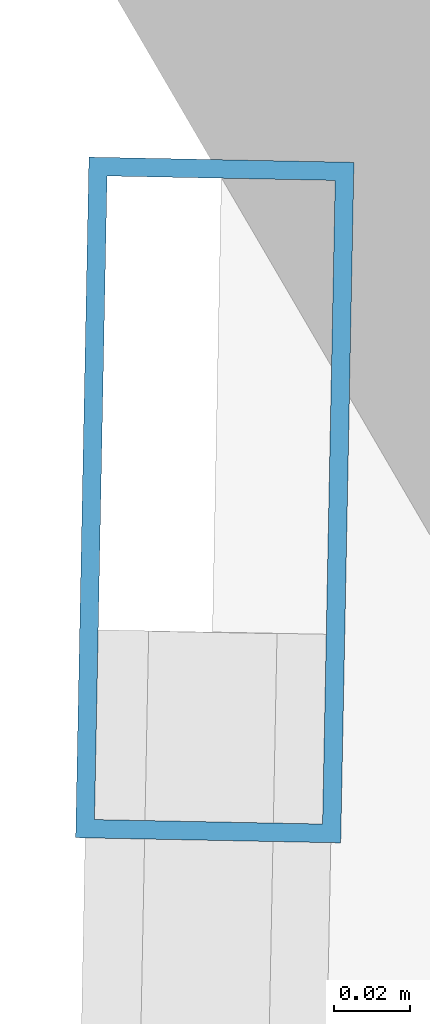
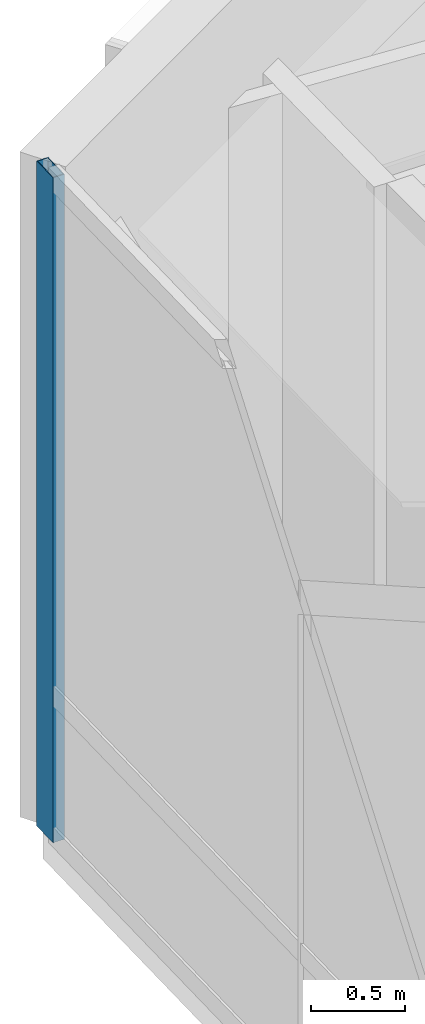
# One storey, part 9 of 21: 1 member, 1 element without a shape of its own.
"""IFC4 building model written with IfcOpenShell, lengths in metres."""

from ifc_helpers import new_model, si_unit, direction, frame, origin, origin_2d, place, context, subcontext, project, spatial, hollow_rectangle, extrude, material, layer, layer_set, material_profile, profile_set, type_object, element, aggregate, save


model = new_model("IFC4")

# Units and contexts
model_context = context("Model", 3, precision=1e-05, world=origin(), true_north=direction((0.0, 1.0)))
body_context = subcontext(model_context, "Body", "Model", "MODEL_VIEW")
ifc_project = project(units=[si_unit("LENGTHUNIT", "METRE"), si_unit("AREAUNIT", "SQUARE_METRE"), si_unit("VOLUMEUNIT", "CUBIC_METRE"), si_unit("PLANEANGLEUNIT", "RADIAN"), si_unit("MASSUNIT", "GRAM", prefix="KILO")], contexts=[model_context])

# Site, building, storey
site_placement = place(None, origin())
site = spatial("IfcSite", under=ifc_project, at=site_placement, CompositionType="ELEMENT")
building_placement = place(site_placement, origin())
building = spatial("IfcBuilding", under=site, at=building_placement, Name="Qianvela Tower", CompositionType="ELEMENT")
storey_placement = place(building_placement, frame((0.0, 0.0, 143.10009765625)))
storey = spatial("IfcBuildingStorey", under=building, at=storey_placement, Name="L36", CompositionType="ELEMENT", Elevation=143.10009765625)

# Curtain wall, member
ifc_material_1 = material(Name="Anodised Architectural Aluminium and Low-E Glass", Category="aluminium")
ifc_layer = layer(ifc_material_1, 0.18994140625)
ifc_layer_set = layer_set([ifc_layer], Name="Anodised Architectural Aluminium and Low-E Glass")
curtain_wall_type = type_object("IfcCurtainWallType", Name="CW-SKYLOBBY", PredefinedType="USERDEFINED", material=ifc_layer_set)
curtain_wall_placement = place(storey_placement, origin())
curtain_wall = element("IfcCurtainWall", 1, at=curtain_wall_placement, inside=storey, type_object=curtain_wall_type, Name="L36 CW-SKYLOBBY Curtain Wall 04A", ObjectType="CURTAIN_WALL_SYSTEM", PredefinedType="USERDEFINED")
ifc_material_2 = material(Name="Anodised Architectural Aluminium 6063-T6", Category="aluminium")
ifc_material_profile = material_profile(ifc_material_2, hollow_rectangle(XDim=0.070068359375, YDim=0.179931640625, WallThickness=0.0048828125, at=origin_2d()), Name="ALU-MULL-70x180")
ifc_profile_set = profile_set([ifc_material_profile], Name="Anodised Architectural Aluminium 6063-T6")
member_type = type_object("IfcMemberType", Name="CW-SKYLOBBY-MULL", PredefinedType="MULLION", material=ifc_profile_set)
member_placement = place(storey_placement, frame((21.741455078125, 38.529296875, 0.0), z_axis=(0.0, 0.0, 1.0), x_axis=(0.999808938606, -0.019547027493, 0.0)))
member = element("IfcMember", 2, at=member_placement, type_object=member_type, Name="CW-7 mullion 1", PredefinedType="MULLION", context=body_context, shape_type="SweptSolid", body=[
    extrude(hollow_rectangle(XDim=0.070068359375, YDim=0.179931640625, WallThickness=0.0048828125, at=origin_2d()), origin(), (0.0, 0.0, 1.0), 4.31982421875),
])
aggregate(curtain_wall, [member])

save(model, "model.ifc")
